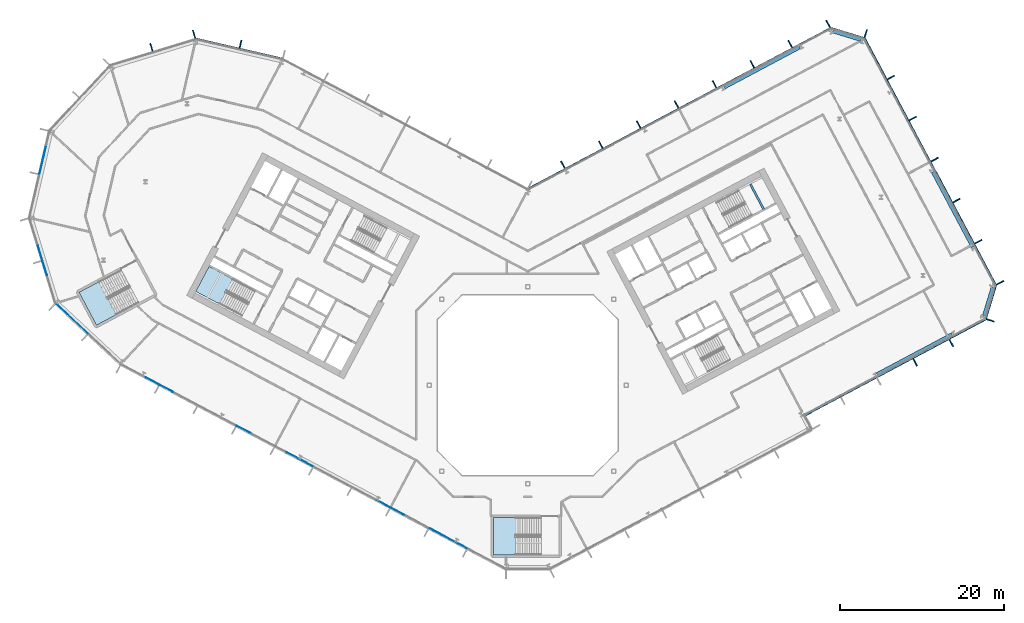
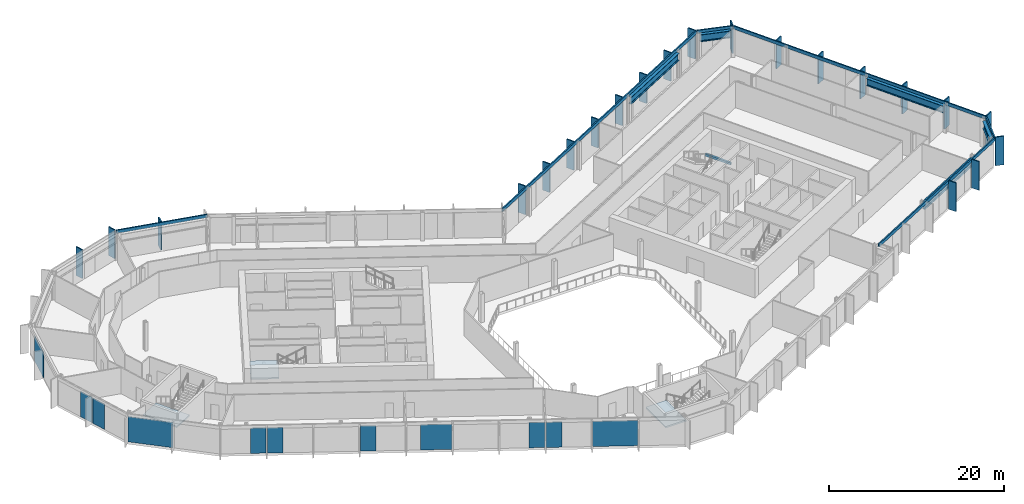
# One storey, part 10 of 28: 27 members, 11 plates, 6 beams, 3 slabs, 14 elements without a shape of their own.
"""IFC4 building model written with IfcOpenShell, lengths in metres."""

from ifc_helpers import new_model, si_unit, direction, frame, origin, origin_2d, place, context, subcontext, project, spatial, polyline, rectangle, i_section, outline, extrude, material, layer, layer_set, material_profile, profile_set, type_object, element, aggregate, save


model = new_model("IFC4")

# Units and contexts
model_context = context("Model", 3, precision=1e-05, world=origin(), true_north=direction((0.0, 1.0)))
body_context = subcontext(model_context, "Body", "Model", "MODEL_VIEW")
ifc_project = project(units=[si_unit("LENGTHUNIT", "METRE"), si_unit("AREAUNIT", "SQUARE_METRE"), si_unit("VOLUMEUNIT", "CUBIC_METRE"), si_unit("PLANEANGLEUNIT", "RADIAN"), si_unit("MASSUNIT", "GRAM", prefix="KILO")], contexts=[model_context])

# Site, building, storey
site_placement = place(None, origin())
site = spatial("IfcSite", under=ifc_project, at=site_placement, CompositionType="ELEMENT")
building_placement = place(site_placement, origin())
building = spatial("IfcBuilding", under=site, at=building_placement, Name="Cormorant Relay Tower", CompositionType="ELEMENT")
storey_placement = place(building_placement, frame((0.0, 0.0, 154.199951171875)))
storey = spatial("IfcBuildingStorey", under=building, at=storey_placement, Name="L32", CompositionType="ELEMENT", Elevation=154.199951171875)

# Curtain wall, members
ifc_material_1 = material(Name="Aluminium 6063-T6 anodised bronze", Category="aluminium")
ifc_layer_1 = layer(ifc_material_1, 0.199951171875)
ifc_layer_set_1 = layer_set([ifc_layer_1], Name="CW1 unitised bronze curtain wall with vertical fins")
curtain_wall_type = type_object("IfcCurtainWallType", Name="CW1 unitised bronze curtain wall with vertical fins", PredefinedType="NOTDEFINED", material=ifc_layer_set_1)
curtain_wall_1_placement = place(storey_placement, origin())
curtain_wall_1 = element("IfcCurtainWall", 1, at=curtain_wall_1_placement, inside=storey, type_object=curtain_wall_type, Name="CW1 curtain wall 4", PredefinedType="NOTDEFINED")
ifc_material_2 = material(Name="Aluminium 6063-T6 anodised bronze", Category="aluminium")
ifc_material_profile_1 = material_profile(ifc_material_2, rectangle(XDim=0.14990234375, YDim=1.0, at=origin_2d()), Name="AL 150x1000")
ifc_profile_set_1 = profile_set([ifc_material_profile_1], Name="Aluminium 6063-T6 anodised bronze")
member_type_1 = type_object("IfcMemberType", Name="CW1 bronze fin mullion 150 x 1000", PredefinedType="MULLION", material=ifc_profile_set_1)
member_1_placement = place(storey_placement, frame((47.21533203125, 2.793212890625, 0.0), z_axis=(0.0, 0.0, 1.0), x_axis=(0.882947592859, 0.469471562786, 0.0)))
member_1 = element("IfcMember", 2, at=member_1_placement, type_object=member_type_1, Name="CW1 fin 4.4", PredefinedType="MULLION", context=body_context, shape_type="SweptSolid", body=[
    extrude(rectangle(XDim=0.14990234375, YDim=1.0, at=origin_2d()), origin(), (0.0, 0.0, 1.0), 4.0),
])
member_2_placement = place(storey_placement, frame((51.630126953125, 5.140625, 0.0), z_axis=(0.0, 0.0, 1.0), x_axis=(0.882947592859, 0.469471562786, 0.0)))
member_2 = element("IfcMember", 3, at=member_2_placement, type_object=member_type_1, Name="CW1 fin 4.5", PredefinedType="MULLION", context=body_context, shape_type="SweptSolid", body=[
    extrude(rectangle(XDim=0.14990234375, YDim=1.0, at=origin_2d()), origin(), (0.0, 0.0, 1.0), 4.0),
])

# Curtain wall, member
curtain_wall_2_placement = place(storey_placement, origin())
curtain_wall_2 = element("IfcCurtainWall", 4, at=curtain_wall_2_placement, inside=storey, type_object=curtain_wall_type, Name="CW1 curtain wall 5", PredefinedType="NOTDEFINED")
member_3_placement = place(storey_placement, frame((56.385498046875, 7.9013671875, 0.0), z_axis=(0.0, 0.0, 1.0), x_axis=(0.292371704723, 0.956304755963, 0.0)))
member_3 = element("IfcMember", 5, at=member_3_placement, type_object=member_type_1, Name="CW1 fin 5.1", PredefinedType="MULLION", context=body_context, shape_type="SweptSolid", body=[
    extrude(rectangle(XDim=0.14990234375, YDim=1.0, at=origin_2d()), origin(), (0.0, 0.0, 1.0), 4.0),
])

# Curtain wall, members
curtain_wall_3_placement = place(storey_placement, origin())
curtain_wall_3 = element("IfcCurtainWall", 6, at=curtain_wall_3_placement, inside=storey, type_object=curtain_wall_type, Name="CW1 curtain wall 6", PredefinedType="NOTDEFINED")
member_4_placement = place(storey_placement, frame((57.57470703125, 12.491943359375, 0.0), z_axis=(0.0, 0.0, 1.0), x_axis=(-0.469471562786, 0.882947592859, 0.0)))
member_4 = element("IfcMember", 7, at=member_4_placement, type_object=member_type_1, Name="CW1 fin 6.1", PredefinedType="MULLION", context=body_context, shape_type="SweptSolid", body=[
    extrude(rectangle(XDim=0.14990234375, YDim=1.0, at=origin_2d()), origin(), (0.0, 0.0, 1.0), 4.0),
])
member_5_placement = place(storey_placement, frame((54.914306640625, 17.4951171875, 0.0), z_axis=(0.0, 0.0, 1.0), x_axis=(-0.469471562786, 0.882947592859, 0.0)))
member_5 = element("IfcMember", 8, at=member_5_placement, type_object=member_type_1, Name="CW1 fin 6.2", PredefinedType="MULLION", context=body_context, shape_type="SweptSolid", body=[
    extrude(rectangle(XDim=0.14990234375, YDim=1.0, at=origin_2d()), origin(), (0.0, 0.0, 1.0), 4.0),
])
member_6_placement = place(storey_placement, frame((52.25390625, 22.49853515625, 0.0), z_axis=(0.0, 0.0, 1.0), x_axis=(-0.469471562786, 0.882947592859, 0.0)))
member_6 = element("IfcMember", 9, at=member_6_placement, type_object=member_type_1, Name="CW1 fin 6.3", PredefinedType="MULLION", context=body_context, shape_type="SweptSolid", body=[
    extrude(rectangle(XDim=0.14990234375, YDim=1.0, at=origin_2d()), origin(), (0.0, 0.0, 1.0), 4.0),
])
member_7_placement = place(storey_placement, frame((49.59375, 27.501953125, 0.0), z_axis=(0.0, 0.0, 1.0), x_axis=(-0.469471562786, 0.882947592859, 0.0)))
member_7 = element("IfcMember", 10, at=member_7_placement, type_object=member_type_1, Name="CW1 fin 6.4", PredefinedType="MULLION", context=body_context, shape_type="SweptSolid", body=[
    extrude(rectangle(XDim=0.14990234375, YDim=1.0, at=origin_2d()), origin(), (0.0, 0.0, 1.0), 4.0),
])
member_8_placement = place(storey_placement, frame((46.933349609375, 32.50537109375, 0.0), z_axis=(0.0, 0.0, 1.0), x_axis=(-0.469471562786, 0.882947592859, 0.0)))
member_8 = element("IfcMember", 11, at=member_8_placement, type_object=member_type_1, Name="CW1 fin 6.5", PredefinedType="MULLION", context=body_context, shape_type="SweptSolid", body=[
    extrude(rectangle(XDim=0.14990234375, YDim=1.0, at=origin_2d()), origin(), (0.0, 0.0, 1.0), 4.0),
])
member_9_placement = place(storey_placement, frame((44.27294921875, 37.5087890625, 0.0), z_axis=(0.0, 0.0, 1.0), x_axis=(-0.469471562786, 0.882947592859, 0.0)))
member_9 = element("IfcMember", 12, at=member_9_placement, type_object=member_type_1, Name="CW1 fin 6.6", PredefinedType="MULLION", context=body_context, shape_type="SweptSolid", body=[
    extrude(rectangle(XDim=0.14990234375, YDim=1.0, at=origin_2d()), origin(), (0.0, 0.0, 1.0), 4.0),
])

# Curtain wall, member
curtain_wall_4_placement = place(storey_placement, origin())
curtain_wall_4 = element("IfcCurtainWall", 13, at=curtain_wall_4_placement, inside=storey, type_object=curtain_wall_type, Name="CW1 curtain wall 7", PredefinedType="NOTDEFINED")
member_10_placement = place(storey_placement, frame((41.19921875, 42.852783203125, 0.0), z_axis=(0.0, 0.0, 1.0), x_axis=(-0.956304755963, 0.292371704723, 0.0)))
member_10 = element("IfcMember", 14, at=member_10_placement, type_object=member_type_1, Name="CW1 fin 7.1", PredefinedType="MULLION", context=body_context, shape_type="SweptSolid", body=[
    extrude(rectangle(XDim=0.14990234375, YDim=1.0, at=origin_2d()), origin(), (0.0, 0.0, 1.0), 4.0),
])

# Curtain wall, members
curtain_wall_5_placement = place(storey_placement, origin())
curtain_wall_5 = element("IfcCurtainWall", 15, at=curtain_wall_5_placement, inside=storey, type_object=curtain_wall_type, Name="CW1 curtain wall 8", PredefinedType="NOTDEFINED")
member_11_placement = place(storey_placement, frame((36.608642578125, 44.0419921875, 0.0), z_axis=(0.0, 0.0, 1.0), x_axis=(-0.882947592859, -0.469471562786, 0.0)))
member_11 = element("IfcMember", 16, at=member_11_placement, type_object=member_type_1, Name="CW1 fin 8.1", PredefinedType="MULLION", context=body_context, shape_type="SweptSolid", body=[
    extrude(rectangle(XDim=0.14990234375, YDim=1.0, at=origin_2d()), origin(), (0.0, 0.0, 1.0), 4.0),
])
member_12_placement = place(storey_placement, frame((31.991455078125, 41.5869140625, 0.0), z_axis=(0.0, 0.0, 1.0), x_axis=(-0.882947592859, -0.469471562786, 0.0)))
member_12 = element("IfcMember", 17, at=member_12_placement, type_object=member_type_1, Name="CW1 fin 8.2", PredefinedType="MULLION", context=body_context, shape_type="SweptSolid", body=[
    extrude(rectangle(XDim=0.14990234375, YDim=1.0, at=origin_2d()), origin(), (0.0, 0.0, 1.0), 4.0),
])
member_13_placement = place(storey_placement, frame((27.37451171875, 39.132080078125, 0.0), z_axis=(0.0, 0.0, 1.0), x_axis=(-0.882947592859, -0.469471562786, 0.0)))
member_13 = element("IfcMember", 18, at=member_13_placement, type_object=member_type_1, Name="CW1 fin 8.3", PredefinedType="MULLION", context=body_context, shape_type="SweptSolid", body=[
    extrude(rectangle(XDim=0.14990234375, YDim=1.0, at=origin_2d()), origin(), (0.0, 0.0, 1.0), 4.0),
])
member_14_placement = place(storey_placement, frame((22.757080078125, 36.677001953125, 0.0), z_axis=(0.0, 0.0, 1.0), x_axis=(-0.882947592859, -0.469471562786, 0.0)))
member_14 = element("IfcMember", 19, at=member_14_placement, type_object=member_type_1, Name="CW1 fin 8.4", PredefinedType="MULLION", context=body_context, shape_type="SweptSolid", body=[
    extrude(rectangle(XDim=0.14990234375, YDim=1.0, at=origin_2d()), origin(), (0.0, 0.0, 1.0), 4.0),
])
member_15_placement = place(storey_placement, frame((18.139892578125, 34.221923828125, 0.0), z_axis=(0.0, 0.0, 1.0), x_axis=(-0.882947592859, -0.469471562786, 0.0)))
member_15 = element("IfcMember", 20, at=member_15_placement, type_object=member_type_1, Name="CW1 fin 8.5", PredefinedType="MULLION", context=body_context, shape_type="SweptSolid", body=[
    extrude(rectangle(XDim=0.14990234375, YDim=1.0, at=origin_2d()), origin(), (0.0, 0.0, 1.0), 4.0),
])
member_16_placement = place(storey_placement, frame((13.52294921875, 31.76708984375, 0.0), z_axis=(0.0, 0.0, 1.0), x_axis=(-0.882947592859, -0.469471562786, 0.0)))
member_16 = element("IfcMember", 21, at=member_16_placement, type_object=member_type_1, Name="CW1 fin 8.6", PredefinedType="MULLION", context=body_context, shape_type="SweptSolid", body=[
    extrude(rectangle(XDim=0.14990234375, YDim=1.0, at=origin_2d()), origin(), (0.0, 0.0, 1.0), 4.0),
])
member_17_placement = place(storey_placement, frame((8.90576171875, 29.31201171875, 0.0), z_axis=(0.0, 0.0, 1.0), x_axis=(-0.882947592859, -0.469471562786, 0.0)))
member_17 = element("IfcMember", 22, at=member_17_placement, type_object=member_type_1, Name="CW1 fin 8.7", PredefinedType="MULLION", context=body_context, shape_type="SweptSolid", body=[
    extrude(rectangle(XDim=0.14990234375, YDim=1.0, at=origin_2d()), origin(), (0.0, 0.0, 1.0), 4.0),
])
member_18_placement = place(storey_placement, frame((4.28857421875, 26.85693359375, 0.0), z_axis=(0.0, 0.0, 1.0), x_axis=(-0.882947592859, -0.469471562786, 0.0)))
member_18 = element("IfcMember", 23, at=member_18_placement, type_object=member_type_1, Name="CW1 fin 8.8", PredefinedType="MULLION", context=body_context, shape_type="SweptSolid", body=[
    extrude(rectangle(XDim=0.14990234375, YDim=1.0, at=origin_2d()), origin(), (0.0, 0.0, 1.0), 4.0),
])

# Curtain wall, member
curtain_wall_6_placement = place(storey_placement, origin())
curtain_wall_6 = element("IfcCurtainWall", 24, at=curtain_wall_6_placement, inside=storey, type_object=curtain_wall_type, Name="CW1 curtain wall 10", PredefinedType="NOTDEFINED")
member_19_placement = place(storey_placement, frame((-35.01220703125, 41.57275390625, 0.0), z_axis=(0.0, 0.0, 1.0), x_axis=(-0.974370064785, 0.224951054344, 0.0)))
member_19 = element("IfcMember", 25, at=member_19_placement, type_object=member_type_1, Name="CW1 fin 10.2", PredefinedType="MULLION", context=body_context, shape_type="SweptSolid", body=[
    extrude(rectangle(XDim=0.14990234375, YDim=1.0, at=origin_2d()), origin(), (0.0, 0.0, 1.0), 4.0),
])

# Curtain wall, members
curtain_wall_7_placement = place(storey_placement, origin())
curtain_wall_7 = element("IfcCurtainWall", 26, at=curtain_wall_7_placement, inside=storey, type_object=curtain_wall_type, Name="CW1 curtain wall 11", PredefinedType="NOTDEFINED")
member_20_placement = place(storey_placement, frame((-40.670166015625, 42.78271484375, 0.0), z_axis=(0.0, 0.0, 1.0), x_axis=(-0.956304755963, -0.292371704723, 0.0)))
member_20 = element("IfcMember", 27, at=member_20_placement, type_object=member_type_1, Name="CW1 fin 11.1", PredefinedType="MULLION", context=body_context, shape_type="SweptSolid", body=[
    extrude(rectangle(XDim=0.14990234375, YDim=1.0, at=origin_2d()), origin(), (0.0, 0.0, 1.0), 4.0),
])
member_21_placement = place(storey_placement, frame((-45.867919921875, 41.193603515625, 0.0), z_axis=(0.0, 0.0, 1.0), x_axis=(-0.956304755963, -0.292371704723, 0.0)))
member_21 = element("IfcMember", 28, at=member_21_placement, type_object=member_type_1, Name="CW1 fin 11.2", PredefinedType="MULLION", context=body_context, shape_type="SweptSolid", body=[
    extrude(rectangle(XDim=0.14990234375, YDim=1.0, at=origin_2d()), origin(), (0.0, 0.0, 1.0), 4.0),
])
aggregate(curtain_wall_7, [member_20, member_21])

# Member
ifc_material_3 = material(Name="Aluminium 6063-T6 anodised bronze", Category="aluminium")
ifc_material_profile_2 = material_profile(ifc_material_3, rectangle(XDim=0.159912109375, YDim=0.449951171875, at=origin_2d()), Name="AL 160x450")
ifc_profile_set_2 = profile_set([ifc_material_profile_2], Name="Aluminium 6063-T6 anodised bronze")
member_type_2 = type_object("IfcMemberType", Name="CW1 bronze transom 160 x 450", PredefinedType="USERDEFINED", material=ifc_profile_set_2)
member_22_placement = place(storey_placement, frame((33.69873046875, -3.73681640625, 3.775146484375), z_axis=(0.88294749795, 0.469471741284, 0.0), x_axis=(-0.469471741284, 0.88294749795, 0.0)))
member_22 = element("IfcMember", 29, at=member_22_placement, type_object=member_type_2, Name="CW1 transom 4", ObjectType="TRANSOM", PredefinedType="USERDEFINED", context=body_context, shape_type="SweptSolid", body=[
    extrude(rectangle(XDim=0.159912109375, YDim=0.449951171875, at=origin_2d()), origin(), (0.0, 0.0, 1.0), 25.0),
])

aggregate(curtain_wall_1, [member_1, member_2, member_22])

member_23_placement = place(storey_placement, frame((55.830810546875, 8.07080078125, 3.775146484375), z_axis=(0.292374957137, 0.956303761594, 0.0), x_axis=(-0.956303761594, 0.292374957137, 0.0)))
member_23 = element("IfcMember", 30, at=member_23_placement, type_object=member_type_2, Name="CW1 transom 5", ObjectType="TRANSOM", PredefinedType="USERDEFINED", context=body_context, shape_type="SweptSolid", body=[
    extrude(rectangle(XDim=0.159912109375, YDim=0.449951171875, at=origin_2d()), origin(), (0.0, 0.0, 1.0), 4.24267578125),
])

aggregate(curtain_wall_2, [member_3, member_23])

member_24_placement = place(storey_placement, frame((57.0625, 12.219482421875, 3.775146484375), z_axis=(-0.469468277635, 0.882949339597, 0.0), x_axis=(-0.882949339597, -0.469468277635, 0.0)))
member_24 = element("IfcMember", 31, at=member_24_placement, type_object=member_type_2, Name="CW1 transom 6", ObjectType="TRANSOM", PredefinedType="USERDEFINED", context=body_context, shape_type="SweptSolid", body=[
    extrude(rectangle(XDim=0.159912109375, YDim=0.449951171875, at=origin_2d()), origin(), (0.0, 0.0, 1.0), 34.0),
])

aggregate(curtain_wall_3, [member_4, member_5, member_6, member_7, member_8, member_9, member_24])

member_25_placement = place(storey_placement, frame((41.02978515625, 42.298095703125, 3.775146484375), z_axis=(-0.956303761594, 0.292374957137, 0.0), x_axis=(-0.292374957137, -0.956303761594, 0.0)))
member_25 = element("IfcMember", 32, at=member_25_placement, type_object=member_type_2, Name="CW1 transom 7", ObjectType="TRANSOM", PredefinedType="USERDEFINED", context=body_context, shape_type="SweptSolid", body=[
    extrude(rectangle(XDim=0.159912109375, YDim=0.449951171875, at=origin_2d()), origin(), (0.0, 0.0, 1.0), 4.24267578125),
])

aggregate(curtain_wall_4, [member_10, member_25])

member_26_placement = place(storey_placement, frame((36.881103515625, 43.52978515625, 3.775146484375), z_axis=(-0.88294882701, -0.469469241677, 0.0), x_axis=(0.469469241677, -0.88294882701, 0.0)))
member_26 = element("IfcMember", 33, at=member_26_placement, type_object=member_type_2, Name="CW1 transom 8", ObjectType="TRANSOM", PredefinedType="USERDEFINED", context=body_context, shape_type="SweptSolid", body=[
    extrude(rectangle(XDim=0.159912109375, YDim=0.449951171875, at=origin_2d()), origin(), (0.0, 0.0, 1.0), 41.834228515625),
])

aggregate(curtain_wall_5, [member_11, member_12, member_13, member_14, member_15, member_16, member_17, member_18, member_26])

member_27_placement = place(storey_placement, frame((-29.8466796875, 39.784912109375, 3.775146484375), z_axis=(-0.974365070969, 0.224972683844, 0.0), x_axis=(-0.224972683844, -0.974365070969, 0.0)))
member_27 = element("IfcMember", 34, at=member_27_placement, type_object=member_type_2, Name="CW1 transom 10", ObjectType="TRANSOM", PredefinedType="USERDEFINED", context=body_context, shape_type="SweptSolid", body=[
    extrude(rectangle(XDim=0.159912109375, YDim=0.449951171875, at=origin_2d()), origin(), (0.0, 0.0, 1.0), 10.870361328125),
])

aggregate(curtain_wall_6, [member_19, member_27])

# Beams
ifc_material_4 = material(Name="Steel ASTM A992 (Fy 345 MPa)", Category="steel")
ifc_material_profile_3 = material_profile(ifc_material_4, i_section(OverallWidth=0.4013671875, OverallDepth=1.000732421875, WebThickness=0.01904296875, FlangeThickness=0.0361328125, FilletRadius=0.02978515625, at=origin_2d()), Name="W1000x371")
ifc_profile_set_3 = profile_set([ifc_material_profile_3], Name="Steel ASTM A992 (Fy 345 MPa)")
beam_type_1 = type_object("IfcBeamType", Name="Spandrel W1000x371", PredefinedType="SPANDREL", material=ifc_profile_set_3)
beam_1_placement = place(storey_placement, frame((42.5595703125, 1.337890625, 3.1396484375), z_axis=(0.882955922346, 0.469455896963, 0.0), x_axis=(-0.469455896963, 0.882955922346, 0.0)))
element("IfcBeam", 35, at=beam_1_placement, inside=storey, type_object=beam_type_1, Name="Spandrel beam L32-004", PredefinedType="SPANDREL", context=body_context, shape_type="SweptSolid", body=[
    extrude(i_section(OverallWidth=0.4013671875, OverallDepth=1.000732421875, WebThickness=0.01904296875, FlangeThickness=0.0361328125, FilletRadius=0.02978515625, at=origin_2d()), origin(), (0.0, 0.0, 1.0), 10.388427734375),
])
beam_2_placement = place(storey_placement, frame((55.62548828125, 8.495849609375, 3.1396484375), z_axis=(0.29237248799, 0.956304516494, 0.0), x_axis=(-0.956304516494, 0.29237248799, 0.0)))
element("IfcBeam", 36, at=beam_2_placement, inside=storey, type_object=beam_type_1, Name="Spandrel beam L32-005", PredefinedType="SPANDREL", context=body_context, shape_type="SweptSolid", body=[
    extrude(i_section(OverallWidth=0.4013671875, OverallDepth=1.000732421875, WebThickness=0.01904296875, FlangeThickness=0.0361328125, FilletRadius=0.02978515625, at=origin_2d()), origin(), (0.0, 0.0, 1.0), 3.585693359375),
])
beam_3_placement = place(storey_placement, frame((54.24169921875, 16.841796875, 3.1396484375), z_axis=(-0.469474218299, 0.882946180893, 0.0), x_axis=(-0.882946180893, -0.469474218299, 0.0)))
element("IfcBeam", 37, at=beam_3_placement, inside=storey, type_object=beam_type_1, Name="Spandrel beam L32-006", PredefinedType="SPANDREL", context=body_context, shape_type="SweptSolid", body=[
    extrude(i_section(OverallWidth=0.4013671875, OverallDepth=1.000732421875, WebThickness=0.01904296875, FlangeThickness=0.0361328125, FilletRadius=0.02978515625, at=origin_2d()), origin(), (0.0, 0.0, 1.0), 10.388671875),
])
beam_4_placement = place(storey_placement, frame((40.605224609375, 42.0927734375, 3.1396484375), z_axis=(-0.956311914022, 0.292348290742, 0.0), x_axis=(-0.292348290742, -0.956311914022, 0.0)))
element("IfcBeam", 38, at=beam_4_placement, inside=storey, type_object=beam_type_1, Name="Spandrel beam L32-007", PredefinedType="SPANDREL", context=body_context, shape_type="SweptSolid", body=[
    extrude(i_section(OverallWidth=0.4013671875, OverallDepth=1.000732421875, WebThickness=0.01904296875, FlangeThickness=0.0361328125, FilletRadius=0.02978515625, at=origin_2d()), origin(), (0.0, 0.0, 1.0), 3.585205078125),
])
beam_5_placement = place(storey_placement, frame((33.141357421875, 41.17822265625, 3.1396484375), z_axis=(-0.882955922346, -0.469455896963, 0.0), x_axis=(0.469455896963, -0.882955922346, 0.0)))
element("IfcBeam", 39, at=beam_5_placement, inside=storey, type_object=beam_type_1, Name="Spandrel beam L32-008", PredefinedType="SPANDREL", context=body_context, shape_type="SweptSolid", body=[
    extrude(i_section(OverallWidth=0.4013671875, OverallDepth=1.000732421875, WebThickness=0.01904296875, FlangeThickness=0.0361328125, FilletRadius=0.02978515625, at=origin_2d()), origin(), (0.0, 0.0, 1.0), 10.388427734375),
])
ifc_material_5 = material(Name="Concrete 50 MPa", Category="concrete")
ifc_material_profile_4 = material_profile(ifc_material_5, rectangle(XDim=0.25, YDim=0.300048828125, at=origin_2d()), Name="RC 250x300")
ifc_profile_set_4 = profile_set([ifc_material_profile_4], Name="Concrete 50 MPa")
beam_type_2 = type_object("IfcBeamType", Name="Stair landing ledge beam 250x300", PredefinedType="BEAM", material=ifc_profile_set_4)
beam_6_placement = place(storey_placement, frame((28.755126953125, 21.4619140625, 1.650146484375), z_axis=(-0.469463917486, 0.882951657895, 0.0), x_axis=(-0.882951657895, -0.469463917486, 0.0)))
element("IfcBeam", 40, at=beam_6_placement, inside=storey, type_object=beam_type_2, Name="B2 landing ledge beam", PredefinedType="BEAM", context=body_context, shape_type="SweptSolid", body=[
    extrude(rectangle(XDim=0.25, YDim=0.300048828125, at=origin_2d()), origin(), (0.0, 0.0, 1.0), 3.449951171875),
])

# Curtain wall, plates
curtain_wall_8_placement = place(storey_placement, origin())
curtain_wall_8 = element("IfcCurtainWall", 41, at=curtain_wall_8_placement, inside=storey, type_object=curtain_wall_type, Name="CW1 curtain wall 14", PredefinedType="NOTDEFINED")
ifc_material_6 = material(Name="Tinted laminated glass", Category="glass")
ifc_layer_2 = layer(ifc_material_6, 0.0400390625)
ifc_layer_set_2 = layer_set([ifc_layer_2], Name="CW1 tinted vision panel 1800 module")
plate_type_1 = type_object("IfcPlateType", Name="CW1 tinted vision panel 1800 module", PredefinedType="CURTAIN_PANEL", material=ifc_layer_set_2)
plate_1_placement = place(storey_placement, frame((-59.434814453125, 16.122314453125, 0.0), z_axis=(0.0, 0.0, 1.0), x_axis=(0.292371704723, -0.956304755963, 0.0)))
plate_1 = element("IfcPlate", 42, at=plate_1_placement, type_object=plate_type_1, Name="CW1 panel V01", PredefinedType="CURTAIN_PANEL", context=body_context, shape_type="SweptSolid", body=[
    extrude(rectangle(XDim=1.800048828125, YDim=0.0400390625, at=origin_2d()), origin(), (0.0, 0.0, 1.0), 3.550048828125),
])
plate_2_placement = place(storey_placement, frame((-58.86474609375, 14.25732421875, 0.0), z_axis=(0.0, 0.0, 1.0), x_axis=(0.292371704723, -0.956304755963, 0.0)))
plate_2 = element("IfcPlate", 43, at=plate_2_placement, type_object=plate_type_1, Name="CW1 panel V02", PredefinedType="CURTAIN_PANEL", context=body_context, shape_type="SweptSolid", body=[
    extrude(rectangle(XDim=1.800048828125, YDim=0.0400390625, at=origin_2d()), origin(), (0.0, 0.0, 1.0), 3.550048828125),
])
aggregate(curtain_wall_8, [plate_1, plate_2])

curtain_wall_9_placement = place(storey_placement, origin())
curtain_wall_9 = element("IfcCurtainWall", 44, at=curtain_wall_9_placement, inside=storey, type_object=curtain_wall_type, Name="CW1 curtain wall 16", PredefinedType="NOTDEFINED")
plate_3_placement = place(storey_placement, frame((-45.767578125, 0.5283203125, 0.0), z_axis=(0.0, 0.0, 1.0), x_axis=(0.882947592859, -0.469471562786, 0.0)))
plate_3 = element("IfcPlate", 45, at=plate_3_placement, type_object=plate_type_1, Name="CW1 panel V01", PredefinedType="CURTAIN_PANEL", context=body_context, shape_type="SweptSolid", body=[
    extrude(rectangle(XDim=1.800048828125, YDim=0.0400390625, at=origin_2d()), origin(), (0.0, 0.0, 1.0), 3.550048828125),
])
plate_4_placement = place(storey_placement, frame((-44.0458984375, -0.38720703125, 0.0), z_axis=(0.0, 0.0, 1.0), x_axis=(0.882947592859, -0.469471562786, 0.0)))
plate_4 = element("IfcPlate", 46, at=plate_4_placement, type_object=plate_type_1, Name="CW1 panel V02", PredefinedType="CURTAIN_PANEL", context=body_context, shape_type="SweptSolid", body=[
    extrude(rectangle(XDim=1.800048828125, YDim=0.0400390625, at=origin_2d()), origin(), (0.0, 0.0, 1.0), 3.550048828125),
])
plate_5_placement = place(storey_placement, frame((-34.6572265625, -5.37890625, 0.0), z_axis=(0.0, 0.0, 1.0), x_axis=(0.882947592859, -0.469471562786, 0.0)))
plate_5 = element("IfcPlate", 47, at=plate_5_placement, type_object=plate_type_1, Name="CW1 panel V04", PredefinedType="CURTAIN_PANEL", context=body_context, shape_type="SweptSolid", body=[
    extrude(rectangle(XDim=1.800048828125, YDim=0.0400390625, at=origin_2d()), origin(), (0.0, 0.0, 1.0), 3.550048828125),
])
plate_6_placement = place(storey_placement, frame((-17.601806640625, -14.447509765625, 0.0), z_axis=(0.0, 0.0, 1.0), x_axis=(0.882947592859, -0.469471562786, 0.0)))
plate_6 = element("IfcPlate", 48, at=plate_6_placement, type_object=plate_type_1, Name="CW1 panel V08", PredefinedType="CURTAIN_PANEL", context=body_context, shape_type="SweptSolid", body=[
    extrude(rectangle(XDim=1.800048828125, YDim=0.0400390625, at=origin_2d()), origin(), (0.0, 0.0, 1.0), 3.550048828125),
])
plate_7_placement = place(storey_placement, frame((-15.880126953125, -15.363037109375, 0.0), z_axis=(0.0, 0.0, 1.0), x_axis=(0.882947592859, -0.469471562786, 0.0)))
plate_7 = element("IfcPlate", 49, at=plate_7_placement, type_object=plate_type_1, Name="CW1 panel V09", PredefinedType="CURTAIN_PANEL", context=body_context, shape_type="SweptSolid", body=[
    extrude(rectangle(XDim=1.800048828125, YDim=0.0400390625, at=origin_2d()), origin(), (0.0, 0.0, 1.0), 3.550048828125),
])

# Curtain wall, plate
curtain_wall_10_placement = place(storey_placement, origin())
curtain_wall_10 = element("IfcCurtainWall", 50, at=curtain_wall_10_placement, inside=storey, type_object=curtain_wall_type, Name="CW1 curtain wall 13", PredefinedType="NOTDEFINED")
ifc_material_7 = material(Name="Tinted laminated glass", Category="glass")
ifc_layer_3 = layer(ifc_material_7, 0.0400390625)
ifc_layer_set_3 = layer_set([ifc_layer_3], Name="CW1 tinted vision panel 3600 module")
plate_type_2 = type_object("IfcPlateType", Name="CW1 tinted vision panel 3600 module", PredefinedType="CURTAIN_PANEL", material=ifc_layer_set_3)
plate_8_placement = place(storey_placement, frame((-59.094970703125, 27.520751953125, 0.0), z_axis=(0.0, 0.0, 1.0), x_axis=(-0.224951054344, -0.974370064785, 0.0)))
plate_8 = element("IfcPlate", 51, at=plate_8_placement, type_object=plate_type_2, Name="CW1 panel V01", PredefinedType="CURTAIN_PANEL", context=body_context, shape_type="SweptSolid", body=[
    extrude(rectangle(XDim=3.60009765625, YDim=0.0400390625, at=origin_2d()), origin(), (0.0, 0.0, 1.0), 3.550048828125),
])
aggregate(curtain_wall_10, [plate_8])

# Plate
plate_9_placement = place(storey_placement, frame((-27.78515625, -9.032958984375, 0.0), z_axis=(0.0, 0.0, 1.0), x_axis=(0.882947592859, -0.469471562786, 0.0)))
plate_9 = element("IfcPlate", 52, at=plate_9_placement, type_object=plate_type_2, Name="CW1 panel V06", PredefinedType="CURTAIN_PANEL", context=body_context, shape_type="SweptSolid", body=[
    extrude(rectangle(XDim=3.60009765625, YDim=0.0400390625, at=origin_2d()), origin(), (0.0, 0.0, 1.0), 3.550048828125),
])

# Curtain wall, plate
curtain_wall_11_placement = place(storey_placement, origin())
curtain_wall_11 = element("IfcCurtainWall", 53, at=curtain_wall_11_placement, inside=storey, type_object=curtain_wall_type, Name="CW1 curtain wall 15", PredefinedType="NOTDEFINED")
ifc_material_8 = material(Name="Tinted laminated glass", Category="glass")
ifc_layer_4 = layer(ifc_material_8, 0.0400390625)
ifc_layer_set_4 = layer_set([ifc_layer_4], Name="CW1 tinted vision panel 5400 module")
plate_type_3 = type_object("IfcPlateType", Name="CW1 tinted vision panel 5400 module", PredefinedType="CURTAIN_PANEL", material=ifc_layer_set_4)
plate_10_placement = place(storey_placement, frame((-55.56787109375, 8.1298828125, 0.0), z_axis=(0.0, 0.0, 1.0), x_axis=(0.731353701619, -0.681998360062, 0.0)))
plate_10 = element("IfcPlate", 54, at=plate_10_placement, type_object=plate_type_3, Name="CW1 panel V00", PredefinedType="CURTAIN_PANEL", context=body_context, shape_type="SweptSolid", body=[
    extrude(rectangle(XDim=5.28515625, YDim=0.0400390625, at=origin_2d()), origin(), (0.0, 0.0, 1.0), 3.550048828125),
])
aggregate(curtain_wall_11, [plate_10])

# Plate
plate_11_placement = place(storey_placement, frame((-9.69970703125, -18.649169921875, 0.0), z_axis=(0.0, 0.0, 1.0), x_axis=(0.882947592859, -0.469471562786, 0.0)))
plate_11 = element("IfcPlate", 55, at=plate_11_placement, type_object=plate_type_3, Name="CW1 panel V11", PredefinedType="CURTAIN_PANEL", context=body_context, shape_type="SweptSolid", body=[
    extrude(rectangle(XDim=5.16650390625, YDim=0.0400390625, at=origin_2d()), origin(), (0.0, 0.0, 1.0), 3.550048828125),
])

aggregate(curtain_wall_9, [plate_3, plate_4, plate_5, plate_9, plate_6, plate_7, plate_11])

# Stair, slab
ifc_material_9 = material(Name="Concrete 40 MPa", Category="concrete")
stair_type_1 = type_object("IfcStairType", Name="Exit stair 1500", PredefinedType="HALF_TURN_STAIR", material=ifc_material_9)
stair_1_placement = place(storey_placement, origin())
stair_1 = element("IfcStair", 56, at=stair_1_placement, inside=storey, type_object=stair_type_1, Name="L32 Stair", PredefinedType="HALF_TURN_STAIR")
ifc_material_10 = material(Name="Concrete 40 MPa", Category="concrete")
ifc_layer_5 = layer(ifc_material_10, 0.199951171875)
ifc_layer_set_5 = layer_set([ifc_layer_5], Name="Exit stair landing 200")
slab_type = type_object("IfcSlabType", Name="Exit stair landing 200", PredefinedType="LANDING", material=ifc_layer_set_5)
slab_1_placement = place(storey_placement, frame((0.0, 0.0, 1.800048828125)))
slab_1 = element("IfcSlab", 57, at=slab_1_placement, type_object=slab_type, Name="A2 landing 1", PredefinedType="LANDING", context=body_context, shape_type="SweptSolid", body=[
    extrude(outline(polyline([(-35.96044921875, 12.947998046875), (-38.84765625, 14.483154296875), (-40.467529296875, 11.43701171875), (-37.580322265625, 9.90185546875), (-35.96044921875, 12.947998046875)])), origin(), (0.0, 0.0, 1.0), 0.199951171875),
])
aggregate(stair_1, [slab_1])

ifc_material_11 = material(Name="Concrete 40 MPa", Category="concrete")
stair_type_2 = type_object("IfcStairType", Name="Remote exit stair 2200", PredefinedType="HALF_TURN_STAIR", material=ifc_material_11)
stair_2_placement = place(storey_placement, origin())
stair_2 = element("IfcStair", 58, at=stair_2_placement, inside=storey, type_object=stair_type_2, Name="L32 Stair", PredefinedType="HALF_TURN_STAIR")
slab_2_placement = place(storey_placement, frame((0.0, 0.0, 1.800048828125)))
slab_2 = element("IfcSlab", 59, at=slab_2_placement, type_object=slab_type, Name="RK1 landing 1", PredefinedType="LANDING", context=body_context, shape_type="SweptSolid", body=[
    extrude(outline(polyline([(-1.47998046875, -16.125), (-4.199951171875, -16.125), (-4.199951171875, -20.675048828125), (-1.47998046875, -20.675048828125), (-1.47998046875, -16.125)])), origin(), (0.0, 0.0, 1.0), 0.199951171875),
])
aggregate(stair_2, [slab_2])

stair_3_placement = place(storey_placement, origin())
stair_3 = element("IfcStair", 60, at=stair_3_placement, inside=storey, type_object=stair_type_2, Name="L32 Stair", PredefinedType="HALF_TURN_STAIR")
slab_3_placement = place(storey_placement, frame((0.0, 0.0, 1.800048828125)))
slab_3 = element("IfcSlab", 61, at=slab_3_placement, type_object=slab_type, Name="RP1 landing 1", PredefinedType="LANDING", context=body_context, shape_type="SweptSolid", body=[
    extrude(outline(polyline([(-52.29833984375, 12.607666015625), (-54.699951171875, 11.330810546875), (-52.563720703125, 7.3134765625), (-50.162109375, 8.59033203125), (-52.29833984375, 12.607666015625)])), origin(), (0.0, 0.0, 1.0), 0.199951171875),
])
aggregate(stair_3, [slab_3])

save(model, "model.ifc")
